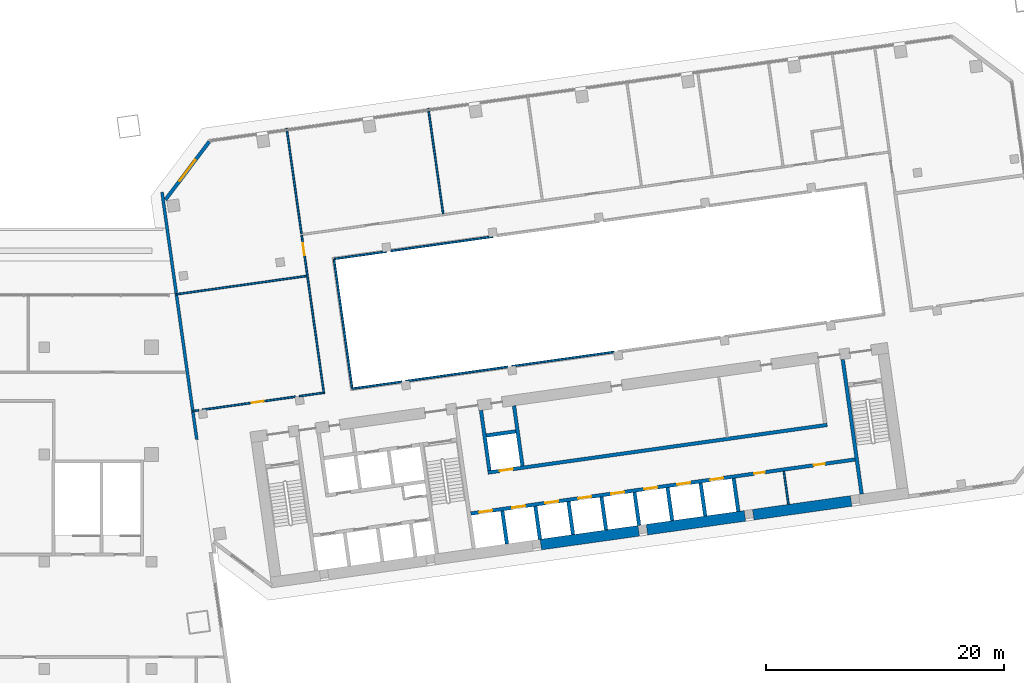
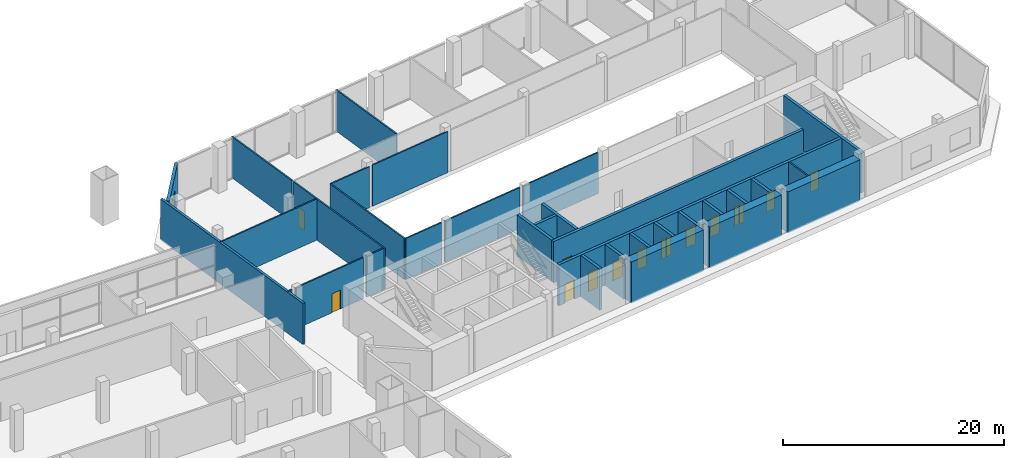
# One storey, part 16 of 21: 33 walls, 13 doors, 1 window, 14 openings.
"""IFC4 building model written with IfcOpenShell, lengths in metres."""

import ifcopenshell
import ifcopenshell.guid

model = None  # the IFC model being written
_history = None  # IfcOwnerHistory: only IFC2X3 demands one
_inside = {}  # id of a spatial element -> (the spatial element, [elements in it])
_under = {}  # id of a project, library or spatial element -> (it, [spatial elements below it])
_declared = {}  # id of a project -> (the project, [libraries it declares])
_typed = {}  # id of a type object -> (the type object, [elements of that type])
_made_of = {}  # id of a material, layer set ... -> (it, [elements and type objects made of it])


def new_model(schema):
    """Start an empty IFC model of exactly this schema.

    Asked for "IFC4X3", IfcOpenShell would pick the latest addendum, in which some entities
    have other attributes; the version numbers below select the first issue.
    IFC2X3 requires an IfcOwnerHistory on every rooted entity: one is made here for all.
    """
    global model, _history
    if schema == "IFC4X3":
        model = ifcopenshell.file(schema_version=(4, 3, 0, 0))
    else:
        model = ifcopenshell.file(schema=schema)
    _inside.clear()
    _under.clear()
    _declared.clear()
    _typed.clear()
    _made_of.clear()
    _history = None
    if model.schema == "IFC2X3":
        org = make("IfcOrganization", Name="unknown")
        user = make(
            "IfcPersonAndOrganization",
            ThePerson=make("IfcPerson", FamilyName="unknown"),
            TheOrganization=org,
        )
        app = make(
            "IfcApplication",
            ApplicationDeveloper=org,
            Version="unknown",
            ApplicationFullName="unknown",
            ApplicationIdentifier="unknown",
        )
        _history = make(
            "IfcOwnerHistory",
            OwningUser=user,
            OwningApplication=app,
            ChangeAction="ADDED",
            CreationDate=0,
        )
    return model


def make(cls, **values):
    """One entity of the class cls with the attributes given. An attribute that is None is left unset."""
    return model.create_entity(
        cls, **{name: value for name, value in values.items() if value is not None}
    )


def rooted(cls, **values):
    """An entity with a GlobalId (a new one), such as an element, a storey or a relation."""
    return make(cls, GlobalId=ifcopenshell.guid.new(), OwnerHistory=_history, **values)


def si_unit(unit_type, name, prefix=None):
    """IfcSIUnit, for example si_unit("LENGTHUNIT", "METRE", prefix="MILLI")."""
    return make("IfcSIUnit", UnitType=unit_type, Prefix=prefix, Name=name)


def assignment(units):
    """IfcUnitAssignment: the units of a project."""
    return None if units is None else make("IfcUnitAssignment", Units=units)


def point(xyz):
    """IfcCartesianPoint."""
    return None if xyz is None else make("IfcCartesianPoint", Coordinates=xyz)


def direction(xyz):
    """IfcDirection."""
    return None if xyz is None else make("IfcDirection", DirectionRatios=xyz)


def frame(location, z_axis=None, x_axis=None):
    """IfcAxis2Placement3D, a coordinate frame: its origin and axes. An axis left out is left unset."""
    return make(
        "IfcAxis2Placement3D",
        Location=point(location),
        Axis=direction(z_axis),
        RefDirection=direction(x_axis),
    )


def frame_2d(location, x_axis=None):
    """IfcAxis2Placement2D, a coordinate frame in the plane: its origin and x axis."""
    return make(
        "IfcAxis2Placement2D", Location=point(location), RefDirection=direction(x_axis)
    )


def origin():
    """The frame at (0, 0, 0) with its axes left unset."""
    return frame((0.0, 0.0, 0.0))


def place(relative_to, where):
    """IfcLocalPlacement: puts the frame where relative to a parent placement (None: the world)."""
    return make(
        "IfcLocalPlacement", PlacementRelTo=relative_to, RelativePlacement=where
    )


def context(
    kind, dimensions, precision=None, world=None, true_north=None, identifier=None
):
    """IfcGeometricRepresentationContext, for example the 3D "Model" context."""
    return make(
        "IfcGeometricRepresentationContext",
        ContextIdentifier=identifier,
        ContextType=kind,
        CoordinateSpaceDimension=dimensions,
        Precision=precision,
        WorldCoordinateSystem=world,
        TrueNorth=true_north,
    )


def subcontext(parent, identifier, kind, view, scale=None):
    """IfcGeometricRepresentationSubContext, for example "Body" below "Model"."""
    return make(
        "IfcGeometricRepresentationSubContext",
        ContextIdentifier=identifier,
        ContextType=kind,
        ParentContext=parent,
        TargetScale=scale,
        TargetView=view,
    )


def project(units=None, contexts=None):
    """IfcProject with its units and contexts."""
    return rooted(
        "IfcProject",
        Name="project",
        RepresentationContexts=contexts,
        UnitsInContext=assignment(units),
    )


def spatial(cls, under=None, at=None, **own):
    """A site, building, storey or space (cls), placed at a placement, below another one or the project."""
    s = rooted(cls, ObjectPlacement=at, **own)
    if under is not None:
        _under.setdefault(under.id(), (under, []))[1].append(s)
    return s


def profile(cls, at=None, kind="AREA", **sizes):
    """A parametric profile (cls). Its sizes go by their IFC names, for example OverallWidth=200.0."""
    return make(cls, ProfileType=kind, Position=at, **sizes)


def rectangle(**sizes):
    """IfcRectangleProfileDef."""
    return profile("IfcRectangleProfileDef", **sizes)


def extrude(swept, where, along, depth):
    """IfcExtrudedAreaSolid: the profile swept, set in the frame where, extruded along a direction by depth."""
    return make(
        "IfcExtrudedAreaSolid",
        SweptArea=swept,
        Position=where,
        ExtrudedDirection=direction(along),
        Depth=depth,
    )


def shape(context_of_items, identifier, shape_type, items):
    """IfcShapeRepresentation: the items that make up one representation, for example the "Body"."""
    return make(
        "IfcShapeRepresentation",
        ContextOfItems=context_of_items,
        RepresentationIdentifier=identifier,
        RepresentationType=shape_type,
        Items=items,
    )


def material(Name=None, Category=None):
    """IfcMaterial."""
    return make("IfcMaterial", Name=Name, Category=Category)


def layer(
    of_material, thickness, ventilated=None, Name=None, Category=None, Priority=None
):
    """IfcMaterialLayer: one layer of a wall or slab, of a material (None: an air gap)."""
    return make(
        "IfcMaterialLayer",
        Material=of_material,
        LayerThickness=thickness,
        IsVentilated=ventilated,
        Name=Name,
        Category=Category,
        Priority=Priority,
    )


def layer_set(layers, Name=None):
    """IfcMaterialLayerSet."""
    return make("IfcMaterialLayerSet", MaterialLayers=layers, LayerSetName=Name)


def made_of(thing, what):
    """Note that an element or type object is made of a material, layer set ...; save() writes the relation."""
    if what is not None:
        _made_of.setdefault(what.id(), (what, []))[1].append(thing)
    return thing


def type_object(cls, material=None, **own):
    """A type object (cls), such as IfcWallType, which elements share."""
    return made_of(rooted(cls, **own), material)


def element(
    cls,
    number,
    at=None,
    inside=None,
    cuts=None,
    type_object=None,
    material=None,
    context=None,
    identifier="Body",
    shape_type=None,
    held_by="IfcProductDefinitionShape",
    body=None,
    shapes=None,
    **own,
):
    """One element of the class cls, such as IfcWall. Its Tag is "e" and its number.

    at: its placement. inside: the storey or other place that contains it. cuts: it is an
    opening in that element (IfcRelVoidsElement). A single representation is given by context,
    identifier, shape_type and body (its items); several are given by shapes. held_by: the class
    of the entity that holds the representations. save() writes the other relations.
    """
    e = rooted(cls, Tag="e%d" % number, ObjectPlacement=at, **own)
    if body is not None:
        shapes = [shape(context, identifier, shape_type, body)]
    if shapes is not None:
        e.Representation = make(held_by, Representations=shapes)
    if inside is not None:
        _inside.setdefault(inside.id(), (inside, []))[1].append(e)
    if cuts is not None:
        rooted(
            "IfcRelVoidsElement", RelatingBuildingElement=cuts, RelatedOpeningElement=e
        )
    if type_object is not None:
        _typed.setdefault(type_object.id(), (type_object, []))[1].append(e)
    return made_of(e, material)


def fill(opening, filler):
    """IfcRelFillsElement: the door or window that sits in an opening."""
    return rooted(
        "IfcRelFillsElement",
        RelatingOpeningElement=opening,
        RelatedBuildingElement=filler,
    )


def aggregate(whole, parts):
    """IfcRelAggregates: a whole, such as a stair, and the parts it consists of."""
    return rooted("IfcRelAggregates", RelatingObject=whole, RelatedObjects=parts)


def save(model, path):
    """Write the relations noted so far, then the file.

    IfcRelAggregates (storeys below a building ...), IfcRelContainedInSpatialStructure (elements
    in a storey), IfcRelDefinesByType, IfcRelAssociatesMaterial and IfcRelDeclares: one each for
    every whole, place, type object, material and project.
    """
    for whole, parts in _under.values():
        aggregate(whole, parts)
    for where, things in _inside.values():
        rooted(
            "IfcRelContainedInSpatialStructure",
            RelatedElements=things,
            RelatingStructure=where,
        )
    for kind, things in _typed.values():
        rooted("IfcRelDefinesByType", RelatedObjects=things, RelatingType=kind)
    for what, things in _made_of.values():
        rooted("IfcRelAssociatesMaterial", RelatedObjects=things, RelatingMaterial=what)
    for by, libraries in _declared.values():
        rooted("IfcRelDeclares", RelatingContext=by, RelatedDefinitions=libraries)
    model.write(path)


model = new_model("IFC4")

# Units and contexts
model_context = context("Model", 3, precision=1e-05, world=origin(), true_north=direction((0.0, 1.0)))
body_context = subcontext(model_context, "Body", "Model", "MODEL_VIEW")
ifc_project = project(units=[si_unit("LENGTHUNIT", "METRE"), si_unit("AREAUNIT", "SQUARE_METRE"), si_unit("VOLUMEUNIT", "CUBIC_METRE"), si_unit("PLANEANGLEUNIT", "RADIAN"), si_unit("MASSUNIT", "GRAM", prefix="KILO")], contexts=[model_context])

# Site, building, storey
site_placement = place(None, origin())
site = spatial("IfcSite", under=ifc_project, at=site_placement, CompositionType="ELEMENT")
building_placement = place(site_placement, origin())
building = spatial("IfcBuilding", under=site, at=building_placement, Name="Mirante Cascada Hotel Towers", CompositionType="ELEMENT")
storey_placement = place(building_placement, frame((0.0, 0.0, 34.5)))
storey = spatial("IfcBuildingStorey", under=building, at=storey_placement, Name="L05", CompositionType="ELEMENT", Elevation=34.5)

# Wall
ifc_material_1 = material(Name="Masonry block", Category="masonry")
ifc_layer_1 = layer(ifc_material_1, 0.15)
ifc_layer_set_1 = layer_set([ifc_layer_1], Name="Core room partition 150 block EI 30")
wall_type_1 = type_object("IfcWallType", Name="Core room partition 150 block EI 30", PredefinedType="PARTITIONING", material=ifc_layer_set_1)
wall_1_placement = place(storey_placement, frame((80.448, -13.1879, 0.0), z_axis=(0.0, 0.0, 1.0), x_axis=(-0.139176, 0.9902677, 0.0)))
element("IfcWall", 1, at=wall_1_placement, inside=storey, type_object=wall_type_1, Name="Core wall partition T2 L05 4", PredefinedType="PARTITIONING", context=body_context, shape_type="SweptSolid", body=[
    extrude(rectangle(XDim=2.8001, YDim=0.15, at=frame_2d((1.4, 0.0))), origin(), (0.0, 0.0, 1.0), 4.55),
])

# Wall, opening, door
ifc_material_2 = material(Name="Masonry block", Category="masonry")
ifc_layer_2 = layer(ifc_material_2, 0.15)
ifc_layer_set_2 = layer_set([ifc_layer_2], Name="Corridor wall 150 block")
wall_type_2 = type_object("IfcWallType", Name="Corridor wall 150 block", PredefinedType="PARTITIONING", material=ifc_layer_set_2)
wall_2_placement = place(storey_placement, frame((39.6107, 9.3732, 0.0), z_axis=(0.0, 0.0, 1.0), x_axis=(0.1391716, -0.9902683, 0.0)))
wall_2 = element("IfcWall", 2, at=wall_2_placement, inside=storey, type_object=wall_type_2, Name="Corridor wall T2 L05", PredefinedType="PARTITIONING", context=body_context, shape_type="SweptSolid", body=[
    extrude(rectangle(XDim=13.4, YDim=0.15, at=frame_2d((6.7, 0.0))), origin(), (0.0, 0.0, 1.0), 4.55),
])
opening_1_placement = place(wall_2_placement, frame((0.6675, 0.0, 0.0)))
opening_1 = element("IfcOpeningElement", 3, at=opening_1_placement, cuts=wall_2, Name="Opening DP2-L05-02", PredefinedType="OPENING", context=body_context, shape_type="SweptSolid", body=[
    extrude(rectangle(XDim=1.0, YDim=2.1, at=frame_2d((0.5, 1.05))), frame((0.0, 0.075, 0.0), z_axis=(0.0, -1.0, 0.0), x_axis=(1.0, 0.0, 0.0)), (0.0, 0.0, 1.0), 0.15),
])
ifc_material_3 = material(Name="Timber door leaf", Category="wood")
door_type_1 = type_object("IfcDoorType", Name="Single door 1000x2100", OperationType="NOTDEFINED", PredefinedType="DOOR", material=ifc_material_3)
door_1_placement = place(opening_1_placement, frame((1.0, 0.0, 0.0), z_axis=(0.0, 0.0, 1.0), x_axis=(-1.0, 0.0, 0.0)))
door_1 = element("IfcDoor", 4, at=door_1_placement, inside=storey, type_object=door_type_1, Name="Door DP2-L05-02", OperationType="SINGLE_SWING_RIGHT", OverallHeight=2.1, OverallWidth=1.0, PredefinedType="DOOR", context=body_context, shape_type="SweptSolid", body=[
    extrude(rectangle(XDim=1.0, YDim=2.1, at=frame_2d((0.5, 1.05))), frame((0.0, 0.025, 0.0), z_axis=(0.0, -1.0, 0.0), x_axis=(1.0, 0.0, 0.0)), (0.0, 0.0, 1.0), 0.05),
])
fill(opening_1, door_1)

# Walls
wall_3_placement = place(storey_placement, frame((42.3151, 7.3752, 0.0), z_axis=(0.0, 0.0, 1.0), x_axis=(0.1391674, -0.9902689, 0.0)))
element("IfcWall", 5, at=wall_3_placement, inside=storey, type_object=wall_type_2, Name="Corridor wall T2 L05", PredefinedType="PARTITIONING", context=body_context, shape_type="SweptSolid", body=[
    extrude(rectangle(XDim=10.9401, YDim=0.15, at=frame_2d((5.47, 0.0))), origin(), (0.0, 0.0, 1.0), 4.55),
])
wall_4_placement = place(storey_placement, frame((30.4732, -5.3669, 0.0), z_axis=(0.0, 0.0, 1.0), x_axis=(0.9902657, 0.1391899, 0.0)))
element("IfcWall", 6, at=wall_4_placement, inside=storey, type_object=wall_type_2, Name="Corridor wall T2 L05", PredefinedType="PARTITIONING", context=body_context, shape_type="SweptSolid", body=[
    extrude(rectangle(XDim=0.4957, YDim=0.15, at=frame_2d((0.2478, 0.0))), origin(), (0.0, 0.0, 1.0), 4.55),
])
wall_5_placement = place(storey_placement, frame((43.8715, -3.4839, 0.0), z_axis=(0.0, 0.0, 1.0), x_axis=(0.9902667, 0.1391827, 0.0)))
element("IfcWall", 7, at=wall_5_placement, inside=storey, type_object=wall_type_2, Name="Corridor wall T2 L05", PredefinedType="PARTITIONING", context=body_context, shape_type="SweptSolid", body=[
    extrude(rectangle(XDim=4.1657, YDim=0.15, at=frame_2d((2.0828, 0.0))), origin(), (0.0, 0.0, 1.0), 4.55),
])
wall_6_placement = place(storey_placement, frame((42.3406, 7.409, 0.0), z_axis=(0.0, 0.0, 1.0), x_axis=(0.9902682, 0.1391725, 0.0)))
element("IfcWall", 8, at=wall_6_placement, inside=storey, type_object=wall_type_2, Name="Corridor wall T2 L05", PredefinedType="PARTITIONING", context=body_context, shape_type="SweptSolid", body=[
    extrude(rectangle(XDim=4.4456, YDim=0.15, at=frame_2d((2.2228, 0.0))), origin(), (0.0, 0.0, 1.0), 4.55),
])

# Wall, opening, door
wall_7_placement = place(storey_placement, frame((31.2896, -5.2522, 0.0), z_axis=(0.0, 0.0, 1.0), x_axis=(0.9902676, 0.1391764, 0.0)))
wall_7 = element("IfcWall", 9, at=wall_7_placement, inside=storey, type_object=wall_type_2, Name="Corridor wall T2 L05", PredefinedType="PARTITIONING", context=body_context, shape_type="SweptSolid", body=[
    extrude(rectangle(XDim=7.8713, YDim=0.15, at=frame_2d((3.9356, 0.0))), origin(), (0.0, 0.0, 1.0), 4.55),
])
opening_2_placement = place(wall_7_placement, frame((4.193, 0.0, 0.0)))
opening_2 = element("IfcOpeningElement", 10, at=opening_2_placement, cuts=wall_7, Name="Opening DP2-L05-01", PredefinedType="OPENING", context=body_context, shape_type="SweptSolid", body=[
    extrude(rectangle(XDim=1.0, YDim=2.1, at=frame_2d((0.5, 1.05))), frame((0.0, 0.075, 0.0), z_axis=(0.0, -1.0, 0.0), x_axis=(1.0, 0.0, 0.0)), (0.0, 0.0, 1.0), 0.15),
])
door_2_placement = place(opening_2_placement, frame((1.0, 0.0, 0.0), z_axis=(0.0, 0.0, 1.0), x_axis=(-1.0, 0.0, 0.0)))
door_2 = element("IfcDoor", 11, at=door_2_placement, inside=storey, type_object=door_type_1, Name="Door DP2-L05-01", OperationType="SINGLE_SWING_LEFT", OverallHeight=2.1, OverallWidth=1.0, PredefinedType="DOOR", context=body_context, shape_type="SweptSolid", body=[
    extrude(rectangle(XDim=1.0, YDim=2.1, at=frame_2d((0.5, 1.05))), frame((0.0, 0.025, 0.0), z_axis=(0.0, -1.0, 0.0), x_axis=(1.0, 0.0, 0.0)), (0.0, 0.0, 1.0), 0.05),
])
fill(opening_2, door_2)

# Walls
wall_8_placement = place(storey_placement, frame((39.4096, -4.1109, 0.0), z_axis=(0.0, 0.0, 1.0), x_axis=(0.9902711, 0.1391512, 0.0)))
element("IfcWall", 12, at=wall_8_placement, inside=storey, type_object=wall_type_2, Name="Corridor wall T2 L05", PredefinedType="PARTITIONING", context=body_context, shape_type="SweptSolid", body=[
    extrude(rectangle(XDim=2.0108, YDim=0.15, at=frame_2d((1.0054, 0.0))), origin(), (0.0, 0.0, 1.0), 4.55),
])
wall_9_placement = place(storey_placement, frame((48.3223, -2.8584, 0.0), z_axis=(0.0, 0.0, 1.0), x_axis=(0.990268, 0.1391735, 0.0)))
element("IfcWall", 13, at=wall_9_placement, inside=storey, type_object=wall_type_2, Name="Corridor wall T2 L05", PredefinedType="PARTITIONING", context=body_context, shape_type="SweptSolid", body=[
    extrude(rectangle(XDim=8.6712, YDim=0.15, at=frame_2d((4.3356, 0.0))), origin(), (0.0, 0.0, 1.0), 4.55),
])
for number, where, z_axis, x_axis, name in (
    (14, (57.2347, -1.6058, 0.0), (0.0, 0.0, 1.0), (0.9902682, 0.139172, 0.0), "Corridor wall T2 L05"),
    (15, (47.0684, 8.0735, 0.0), (0.0, 0.0, 1.0), (0.9902682, 0.139172, 0.0), "Corridor wall T2 L05"),
):
    element("IfcWall", number, at=place(storey_placement, frame(where, z_axis=z_axis, x_axis=x_axis)), inside=storey, type_object=wall_type_2, Name=name, PredefinedType="PARTITIONING", context=body_context, shape_type="SweptSolid", body=[
        extrude(rectangle(XDim=8.6713, YDim=0.15, at=frame_2d((4.3356, 0.0))), origin(), (0.0, 0.0, 1.0), 4.55),
    ])
ifc_material_4 = material(Name="Masonry block", Category="masonry")
ifc_layer_3 = layer(ifc_material_4, 0.15)
ifc_layer_set_3 = layer_set([ifc_layer_3], Name="Partition 150 block")
wall_type_3 = type_object("IfcWallType", Name="Partition 150 block", PredefinedType="PARTITIONING", material=ifc_layer_set_3)
wall_10_placement = place(storey_placement, frame((38.3477, 18.3599, 0.0), z_axis=(0.0, 0.0, 1.0), x_axis=(0.1391725, -0.9902682, 0.0)))
element("IfcWall", 16, at=wall_10_placement, inside=storey, type_object=wall_type_3, Name="Partition T2 L05", PredefinedType="PARTITIONING", context=body_context, shape_type="SweptSolid", body=[
    extrude(rectangle(XDim=8.935, YDim=0.15, at=frame_2d((4.4675, 0.0))), origin(), (0.0, 0.0, 1.0), 4.55),
])
wall_11_placement = place(storey_placement, frame((50.2309, 20.03, 0.0), z_axis=(0.0, 0.0, 1.0), x_axis=(0.13917, -0.9902685, 0.0)))
element("IfcWall", 17, at=wall_11_placement, inside=storey, type_object=wall_type_3, Name="Partition T2 L05", PredefinedType="PARTITIONING", context=body_context, shape_type="SweptSolid", body=[
    extrude(rectangle(XDim=8.9251, YDim=0.15, at=frame_2d((4.4626, 0.0))), origin(), (0.0, 0.0, 1.0), 4.55),
])
wall_12_placement = place(storey_placement, frame((29.0954, 4.4367, 0.0), z_axis=(0.0, 0.0, 1.0), x_axis=(0.9902679, 0.1391746, 0.0)))
element("IfcWall", 18, at=wall_12_placement, inside=storey, type_object=wall_type_3, Name="Partition T2 L05", PredefinedType="PARTITIONING", context=body_context, shape_type="SweptSolid", body=[
    extrude(rectangle(XDim=11.025, YDim=0.15, at=frame_2d((5.5125, 0.0))), origin(), (0.0, 0.0, 1.0), 4.55),
])
ifc_material_5 = material(Name="Masonry block", Category="masonry")
ifc_layer_4 = layer(ifc_material_5, 0.25)
ifc_layer_set_4 = layer_set([ifc_layer_4], Name="Plant room wall 250 block EI 120")
wall_type_4 = type_object("IfcWallType", Name="Plant room wall 250 block EI 120", PredefinedType="PARTITIONING", material=ifc_layer_set_4)
wall_13_placement = place(storey_placement, frame((30.8072, -7.7436, 0.0), z_axis=(0.0, 0.0, 1.0), x_axis=(-0.1391737, 0.990268, 0.0)))
element("IfcWall", 19, at=wall_13_placement, inside=storey, type_object=wall_type_4, Name="Compartment wall T2 L05", PredefinedType="PARTITIONING", context=body_context, shape_type="SweptSolid", body=[
    extrude(rectangle(XDim=20.9501, YDim=0.25, at=frame_2d((10.475, 0.0))), origin(), (0.0, 0.0, 1.0), 4.55),
])

# Wall, opening, window
ifc_material_6 = material(Name="Precast concrete C40/50", Category="concrete")
ifc_layer_5 = layer(ifc_material_6, 0.3)
ifc_layer_set_5 = layer_set([ifc_layer_5], Name="Precast concrete C40/50 cladding wall 300")
wall_type_5 = type_object("IfcWallType", Name="Precast concrete C40/50 cladding wall 300", PredefinedType="STANDARD", material=ifc_layer_set_5)
wall_14_placement = place(storey_placement, frame((31.857, 17.252, 0.0), z_axis=(0.0, 0.0, 1.0), x_axis=(-0.6018141, -0.7986362, 0.0)))
wall_14 = element("IfcWall", 20, at=wall_14_placement, inside=storey, type_object=wall_type_5, Name="Corner cladding wall T2 L05 front inner", PredefinedType="STANDARD", context=body_context, shape_type="SweptSolid", body=[
    extrude(rectangle(XDim=6.1157, YDim=0.3, at=frame_2d((3.0578, 0.0))), origin(), (0.0, 0.0, 1.0), 4.55),
])
opening_3_placement = place(wall_14_placement, frame((1.9578, 0.0, 0.6)))
opening_3 = element("IfcOpeningElement", 21, at=opening_3_placement, cuts=wall_14, Name="Opening W2-05-04", PredefinedType="OPENING", context=body_context, shape_type="SweptSolid", body=[
    extrude(rectangle(XDim=2.2, YDim=2.4, at=frame_2d((1.1, 1.2))), frame((0.0, 0.15, 0.0), z_axis=(0.0, -1.0, 0.0), x_axis=(1.0, 0.0, 0.0)), (0.0, 0.0, 1.0), 0.3),
])
ifc_material_7 = material(Name="Aluminium frame with clear double glazing", Category="aluminium")
window_type = type_object("IfcWindowType", Name="Corner suite window 2200x2400", PartitioningType="DOUBLE_PANEL_VERTICAL", PredefinedType="WINDOW", material=ifc_material_7)
window_placement = place(opening_3_placement, origin())
window = element("IfcWindow", 22, at=window_placement, inside=storey, type_object=window_type, Name="Window W2-05-04", OverallHeight=2.4, OverallWidth=2.2, PartitioningType="SINGLE_PANEL", PredefinedType="WINDOW", context=body_context, shape_type="SweptSolid", body=[
    extrude(rectangle(XDim=2.2, YDim=2.4, at=frame_2d((1.1, 1.2))), frame((0.0, 0.03, 0.0), z_axis=(0.0, -1.0, 0.0), x_axis=(1.0, 0.0, 0.0)), (0.0, 0.0, 1.0), 0.06),
])
fill(opening_3, window)

# Wall
ifc_material_8 = material(Name="Concrete C50/60", Category="concrete")
ifc_layer_6 = layer(ifc_material_8, 0.3)
ifc_layer_set_6 = layer_set([ifc_layer_6], Name="RC core wall 300 C50/60")
wall_type_6 = type_object("IfcWallType", Name="RC core wall 300 C50/60", PredefinedType="SHEAR", material=ifc_layer_set_6)
wall_15_placement = place(storey_placement, frame((86.5877, -12.325, 0.0), z_axis=(0.0, 0.0, 1.0), x_axis=(-0.1391749, 0.9902678, 0.0)))
element("IfcWall", 23, at=wall_15_placement, inside=storey, type_object=wall_type_6, Name="Core wall T2:L05:8", PredefinedType="SHEAR", context=body_context, shape_type="SweptSolid", body=[
    extrude(rectangle(XDim=11.4, YDim=0.3, at=frame_2d((5.7, 0.0))), origin(), (0.0, 0.0, 1.0), 4.55),
])

# Wall, openings, doors
wall_16_placement = place(storey_placement, frame((53.7953, -13.9547, 0.0), z_axis=(0.0, 0.0, 1.0), x_axis=(0.990268, 0.1391733, 0.0)))
wall_16 = element("IfcWall", 24, at=wall_16_placement, inside=storey, type_object=wall_type_6, Name="Core wall T2:L05:24", PredefinedType="SHEAR", context=body_context, shape_type="SweptSolid", body=[
    extrude(rectangle(XDim=32.5501, YDim=0.3, at=frame_2d((16.275, 0.0))), origin(), (0.0, 0.0, 1.0), 4.55),
])
opening_4_placement = place(wall_16_placement, frame((0.7, 0.0, 0.0)))
opening_4 = element("IfcOpeningElement", 25, at=opening_4_placement, cuts=wall_16, Name="Opening LD", PredefinedType="OPENING", context=body_context, shape_type="SweptSolid", body=[
    extrude(rectangle(XDim=1.1, YDim=2.1, at=frame_2d((0.55, 1.05))), frame((0.0, 0.15, 0.0), z_axis=(0.0, -1.0, 0.0), x_axis=(1.0, 0.0, 0.0)), (0.0, 0.0, 1.0), 0.3),
])
opening_5_placement = place(wall_16_placement, frame((3.5, 0.0, 0.0)))
opening_5 = element("IfcOpeningElement", 26, at=opening_5_placement, cuts=wall_16, Name="Opening LD", PredefinedType="OPENING", context=body_context, shape_type="SweptSolid", body=[
    extrude(rectangle(XDim=1.1, YDim=2.1, at=frame_2d((0.55, 1.05))), frame((0.0, 0.15, 0.0), z_axis=(0.0, -1.0, 0.0), x_axis=(1.0, 0.0, 0.0)), (0.0, 0.0, 1.0), 0.3),
])
opening_6_placement = place(wall_16_placement, frame((6.3, 0.0, 0.0)))
opening_6 = element("IfcOpeningElement", 27, at=opening_6_placement, cuts=wall_16, Name="Opening LD", PredefinedType="OPENING", context=body_context, shape_type="SweptSolid", body=[
    extrude(rectangle(XDim=1.1, YDim=2.1, at=frame_2d((0.55, 1.05))), frame((0.0, 0.15, 0.0), z_axis=(0.0, -1.0, 0.0), x_axis=(1.0, 0.0, 0.0)), (0.0, 0.0, 1.0), 0.3),
])
opening_7_placement = place(wall_16_placement, frame((9.1, 0.0, 0.0)))
opening_7 = element("IfcOpeningElement", 28, at=opening_7_placement, cuts=wall_16, Name="Opening LD", PredefinedType="OPENING", context=body_context, shape_type="SweptSolid", body=[
    extrude(rectangle(XDim=1.1, YDim=2.1, at=frame_2d((0.55, 1.05))), frame((0.0, 0.15, 0.0), z_axis=(0.0, -1.0, 0.0), x_axis=(1.0, 0.0, 0.0)), (0.0, 0.0, 1.0), 0.3),
])
opening_8_placement = place(wall_16_placement, frame((11.9, 0.0, 0.0)))
opening_8 = element("IfcOpeningElement", 29, at=opening_8_placement, cuts=wall_16, Name="Opening LD", PredefinedType="OPENING", context=body_context, shape_type="SweptSolid", body=[
    extrude(rectangle(XDim=1.1, YDim=2.1, at=frame_2d((0.55, 1.05))), frame((0.0, 0.15, 0.0), z_axis=(0.0, -1.0, 0.0), x_axis=(1.0, 0.0, 0.0)), (0.0, 0.0, 1.0), 0.3),
])
opening_9_placement = place(wall_16_placement, frame((14.7, 0.0, 0.0)))
opening_9 = element("IfcOpeningElement", 30, at=opening_9_placement, cuts=wall_16, Name="Opening LD", PredefinedType="OPENING", context=body_context, shape_type="SweptSolid", body=[
    extrude(rectangle(XDim=1.1, YDim=2.1, at=frame_2d((0.55, 1.05))), frame((0.0, 0.15, 0.0), z_axis=(0.0, -1.0, 0.0), x_axis=(1.0, 0.0, 0.0)), (0.0, 0.0, 1.0), 0.3),
])
opening_10_placement = place(wall_16_placement, frame((17.5, 0.0, 0.0)))
opening_10 = element("IfcOpeningElement", 31, at=opening_10_placement, cuts=wall_16, Name="Opening LD", PredefinedType="OPENING", context=body_context, shape_type="SweptSolid", body=[
    extrude(rectangle(XDim=1.1, YDim=2.1, at=frame_2d((0.55, 1.05))), frame((0.0, 0.15, 0.0), z_axis=(0.0, -1.0, 0.0), x_axis=(1.0, 0.0, 0.0)), (0.0, 0.0, 1.0), 0.3),
])
opening_11_placement = place(wall_16_placement, frame((20.3, 0.0, 0.0)))
opening_11 = element("IfcOpeningElement", 32, at=opening_11_placement, cuts=wall_16, Name="Opening LD", PredefinedType="OPENING", context=body_context, shape_type="SweptSolid", body=[
    extrude(rectangle(XDim=1.1, YDim=2.1, at=frame_2d((0.55, 1.05))), frame((0.0, 0.15, 0.0), z_axis=(0.0, -1.0, 0.0), x_axis=(1.0, 0.0, 0.0)), (0.0, 0.0, 1.0), 0.3),
])
opening_12_placement = place(wall_16_placement, frame((24.0, 0.0, 0.0)))
opening_12 = element("IfcOpeningElement", 33, at=opening_12_placement, cuts=wall_16, Name="Opening D2-05-C28", PredefinedType="OPENING", context=body_context, shape_type="SweptSolid", body=[
    extrude(rectangle(XDim=0.9, YDim=2.1, at=frame_2d((0.45, 1.05))), frame((0.0, 0.15, 0.0), z_axis=(0.0, -1.0, 0.0), x_axis=(1.0, 0.0, 0.0)), (0.0, 0.0, 1.0), 0.3),
])
opening_13_placement = place(wall_16_placement, frame((29.075, 0.0, 0.0)))
opening_13 = element("IfcOpeningElement", 34, at=opening_13_placement, cuts=wall_16, Name="Opening D2-05-C29", PredefinedType="OPENING", context=body_context, shape_type="SweptSolid", body=[
    extrude(rectangle(XDim=0.9, YDim=2.1, at=frame_2d((0.45, 1.05))), frame((0.0, 0.15, 0.0), z_axis=(0.0, -1.0, 0.0), x_axis=(1.0, 0.0, 0.0)), (0.0, 0.0, 1.0), 0.3),
])
ifc_material_9 = material(Name="Hollow metal fire door leaf")
door_type_2 = type_object("IfcDoorType", Name="Fire door 900x2100 FD60", OperationType="NOTDEFINED", PredefinedType="DOOR", material=ifc_material_9)
door_3_placement = place(opening_12_placement, frame((0.9, 0.0, 0.0), z_axis=(0.0, 0.0, 1.0), x_axis=(-1.0, 0.0, 0.0)))
door_3 = element("IfcDoor", 35, at=door_3_placement, inside=storey, type_object=door_type_2, Name="Room door T2 L05 28", OperationType="SINGLE_SWING_RIGHT", OverallHeight=2.1, OverallWidth=0.9, PredefinedType="DOOR", context=body_context, shape_type="SweptSolid", body=[
    extrude(rectangle(XDim=0.9, YDim=2.1, at=frame_2d((0.45, 1.05))), frame((0.0, 0.025, 0.0), z_axis=(0.0, -1.0, 0.0), x_axis=(1.0, 0.0, 0.0)), (0.0, 0.0, 1.0), 0.05),
])
fill(opening_12, door_3)
door_4_placement = place(opening_13_placement, frame((0.9, 0.0, 0.0), z_axis=(0.0, 0.0, 1.0), x_axis=(-1.0, 0.0, 0.0)))
door_4 = element("IfcDoor", 36, at=door_4_placement, inside=storey, type_object=door_type_2, Name="Room door T2 L05 29", OperationType="SINGLE_SWING_RIGHT", OverallHeight=2.1, OverallWidth=0.9, PredefinedType="DOOR", context=body_context, shape_type="SweptSolid", body=[
    extrude(rectangle(XDim=0.9, YDim=2.1, at=frame_2d((0.45, 1.05))), frame((0.0, 0.025, 0.0), z_axis=(0.0, -1.0, 0.0), x_axis=(1.0, 0.0, 0.0)), (0.0, 0.0, 1.0), 0.05),
])
fill(opening_13, door_4)
ifc_material_10 = material(Name="Stainless steel", Category="steel")
door_type_3 = type_object("IfcDoorType", Name="Lift landing door 1100x2100 EI 120", OperationType="DOUBLE_DOOR_SLIDING", PredefinedType="DOOR", material=ifc_material_10)
door_5_placement = place(opening_4_placement, origin())
door_5 = element("IfcDoor", 37, at=door_5_placement, inside=storey, type_object=door_type_3, Name="Lift landing door LR2-1 L05", OperationType="DOUBLE_DOOR_SLIDING", OverallHeight=2.1, OverallWidth=1.1, PredefinedType="DOOR", context=body_context, shape_type="SweptSolid", body=[
    extrude(rectangle(XDim=0.545, YDim=2.1, at=frame_2d((0.2725, 1.05))), frame((0.0, 0.025, 0.0), z_axis=(0.0, -1.0, 0.0), x_axis=(1.0, 0.0, 0.0)), (0.0, 0.0, 1.0), 0.05),
    extrude(rectangle(XDim=0.545, YDim=2.1, at=frame_2d((0.8275, 1.05))), frame((0.0, 0.025, 0.0), z_axis=(0.0, -1.0, 0.0), x_axis=(1.0, 0.0, 0.0)), (0.0, 0.0, 1.0), 0.05),
])
fill(opening_4, door_5)
door_6_placement = place(opening_5_placement, origin())
door_6 = element("IfcDoor", 38, at=door_6_placement, inside=storey, type_object=door_type_3, Name="Lift landing door LR2-2 L05", OperationType="DOUBLE_DOOR_SLIDING", OverallHeight=2.1, OverallWidth=1.1, PredefinedType="DOOR", context=body_context, shape_type="SweptSolid", body=[
    extrude(rectangle(XDim=0.545, YDim=2.1, at=frame_2d((0.2725, 1.05))), frame((0.0, 0.025, 0.0), z_axis=(0.0, -1.0, 0.0), x_axis=(1.0, 0.0, 0.0)), (0.0, 0.0, 1.0), 0.05),
    extrude(rectangle(XDim=0.545, YDim=2.1, at=frame_2d((0.8275, 1.05))), frame((0.0, 0.025, 0.0), z_axis=(0.0, -1.0, 0.0), x_axis=(1.0, 0.0, 0.0)), (0.0, 0.0, 1.0), 0.05),
])
fill(opening_5, door_6)
door_7_placement = place(opening_6_placement, origin())
door_7 = element("IfcDoor", 39, at=door_7_placement, inside=storey, type_object=door_type_3, Name="Lift landing door SV2-1 L05", OperationType="DOUBLE_DOOR_SLIDING", OverallHeight=2.1, OverallWidth=1.1, PredefinedType="DOOR", context=body_context, shape_type="SweptSolid", body=[
    extrude(rectangle(XDim=0.545, YDim=2.1, at=frame_2d((0.2725, 1.05))), frame((0.0, 0.025, 0.0), z_axis=(0.0, -1.0, 0.0), x_axis=(1.0, 0.0, 0.0)), (0.0, 0.0, 1.0), 0.05),
    extrude(rectangle(XDim=0.545, YDim=2.1, at=frame_2d((0.8275, 1.05))), frame((0.0, 0.025, 0.0), z_axis=(0.0, -1.0, 0.0), x_axis=(1.0, 0.0, 0.0)), (0.0, 0.0, 1.0), 0.05),
])
fill(opening_6, door_7)
door_8_placement = place(opening_7_placement, origin())
door_8 = element("IfcDoor", 40, at=door_8_placement, inside=storey, type_object=door_type_3, Name="Lift landing door SV2-2 L05", OperationType="DOUBLE_DOOR_SLIDING", OverallHeight=2.1, OverallWidth=1.1, PredefinedType="DOOR", context=body_context, shape_type="SweptSolid", body=[
    extrude(rectangle(XDim=0.545, YDim=2.1, at=frame_2d((0.2725, 1.05))), frame((0.0, 0.025, 0.0), z_axis=(0.0, -1.0, 0.0), x_axis=(1.0, 0.0, 0.0)), (0.0, 0.0, 1.0), 0.05),
    extrude(rectangle(XDim=0.545, YDim=2.1, at=frame_2d((0.8275, 1.05))), frame((0.0, 0.025, 0.0), z_axis=(0.0, -1.0, 0.0), x_axis=(1.0, 0.0, 0.0)), (0.0, 0.0, 1.0), 0.05),
])
fill(opening_7, door_8)
door_9_placement = place(opening_8_placement, origin())
door_9 = element("IfcDoor", 41, at=door_9_placement, inside=storey, type_object=door_type_3, Name="Lift landing door SV2-3 L05", OperationType="DOUBLE_DOOR_SLIDING", OverallHeight=2.1, OverallWidth=1.1, PredefinedType="DOOR", context=body_context, shape_type="SweptSolid", body=[
    extrude(rectangle(XDim=0.545, YDim=2.1, at=frame_2d((0.2725, 1.05))), frame((0.0, 0.025, 0.0), z_axis=(0.0, -1.0, 0.0), x_axis=(1.0, 0.0, 0.0)), (0.0, 0.0, 1.0), 0.05),
    extrude(rectangle(XDim=0.545, YDim=2.1, at=frame_2d((0.8275, 1.05))), frame((0.0, 0.025, 0.0), z_axis=(0.0, -1.0, 0.0), x_axis=(1.0, 0.0, 0.0)), (0.0, 0.0, 1.0), 0.05),
])
fill(opening_8, door_9)
door_10_placement = place(opening_9_placement, origin())
door_10 = element("IfcDoor", 42, at=door_10_placement, inside=storey, type_object=door_type_3, Name="Lift landing door SV2-4 L05", OperationType="DOUBLE_DOOR_SLIDING", OverallHeight=2.1, OverallWidth=1.1, PredefinedType="DOOR", context=body_context, shape_type="SweptSolid", body=[
    extrude(rectangle(XDim=0.545, YDim=2.1, at=frame_2d((0.2725, 1.05))), frame((0.0, 0.025, 0.0), z_axis=(0.0, -1.0, 0.0), x_axis=(1.0, 0.0, 0.0)), (0.0, 0.0, 1.0), 0.05),
    extrude(rectangle(XDim=0.545, YDim=2.1, at=frame_2d((0.8275, 1.05))), frame((0.0, 0.025, 0.0), z_axis=(0.0, -1.0, 0.0), x_axis=(1.0, 0.0, 0.0)), (0.0, 0.0, 1.0), 0.05),
])
fill(opening_9, door_10)
door_11_placement = place(opening_10_placement, origin())
door_11 = element("IfcDoor", 43, at=door_11_placement, inside=storey, type_object=door_type_3, Name="Lift landing door PS2-1 L05", OperationType="DOUBLE_DOOR_SLIDING", OverallHeight=2.1, OverallWidth=1.1, PredefinedType="DOOR", context=body_context, shape_type="SweptSolid", body=[
    extrude(rectangle(XDim=0.545, YDim=2.1, at=frame_2d((0.2725, 1.05))), frame((0.0, 0.025, 0.0), z_axis=(0.0, -1.0, 0.0), x_axis=(1.0, 0.0, 0.0)), (0.0, 0.0, 1.0), 0.05),
    extrude(rectangle(XDim=0.545, YDim=2.1, at=frame_2d((0.8275, 1.05))), frame((0.0, 0.025, 0.0), z_axis=(0.0, -1.0, 0.0), x_axis=(1.0, 0.0, 0.0)), (0.0, 0.0, 1.0), 0.05),
])
fill(opening_10, door_11)
door_12_placement = place(opening_11_placement, origin())
door_12 = element("IfcDoor", 44, at=door_12_placement, inside=storey, type_object=door_type_3, Name="Lift landing door PS2-2 L05", OperationType="DOUBLE_DOOR_SLIDING", OverallHeight=2.1, OverallWidth=1.1, PredefinedType="DOOR", context=body_context, shape_type="SweptSolid", body=[
    extrude(rectangle(XDim=0.545, YDim=2.1, at=frame_2d((0.2725, 1.05))), frame((0.0, 0.025, 0.0), z_axis=(0.0, -1.0, 0.0), x_axis=(1.0, 0.0, 0.0)), (0.0, 0.0, 1.0), 0.05),
    extrude(rectangle(XDim=0.545, YDim=2.1, at=frame_2d((0.8275, 1.05))), frame((0.0, 0.025, 0.0), z_axis=(0.0, -1.0, 0.0), x_axis=(1.0, 0.0, 0.0)), (0.0, 0.0, 1.0), 0.05),
])
fill(opening_11, door_12)

# Walls
for number, where, z_axis, x_axis, name in (
    (45, (56.8301, -16.5072, 0.0), (0.0, 0.0, 1.0), (-0.139176, 0.9902677, 0.0), "Core wall T2:L05:25"),
    (46, (59.6029, -16.1175, 0.0), (0.0, 0.0, 1.0), (-0.139176, 0.9902677, 0.0), "Core wall T2:L05:26"),
    (47, (62.3756, -15.7278, 0.0), (0.0, 0.0, 1.0), (-0.139176, 0.9902677, 0.0), "Core wall T2:L05:27"),
    (48, (65.1484, -15.3381, 0.0), (0.0, 0.0, 1.0), (-0.139176, 0.9902677, 0.0), "Core wall T2:L05:28"),
):
    element("IfcWall", number, at=place(storey_placement, frame(where, z_axis=z_axis, x_axis=x_axis)), inside=storey, type_object=wall_type_6, Name=name, PredefinedType="SHEAR", context=body_context, shape_type="SweptSolid", body=[
        extrude(rectangle(XDim=2.8001, YDim=0.3, at=frame_2d((1.4, 0.0))), origin(), (0.0, 0.0, 1.0), 4.55),
    ])
for number, where, z_axis, x_axis, name in (
    (49, (67.9211, -14.9484, 0.0), (0.0, 0.0, 1.0), (-0.139181, 0.990267, 0.0), "Core wall T2:L05:29"),
    (50, (70.6939, -14.5587, 0.0), (0.0, 0.0, 1.0), (-0.139181, 0.990267, 0.0), "Core wall T2:L05:30"),
    (51, (73.4666, -14.169, 0.0), (0.0, 0.0, 1.0), (-0.139181, 0.990267, 0.0), "Core wall T2:L05:31"),
):
    element("IfcWall", number, at=place(storey_placement, frame(where, z_axis=z_axis, x_axis=x_axis)), inside=storey, type_object=wall_type_6, Name=name, PredefinedType="SHEAR", context=body_context, shape_type="SweptSolid", body=[
        extrude(rectangle(XDim=2.8, YDim=0.3, at=frame_2d((1.4, 0.0))), origin(), (0.0, 0.0, 1.0), 4.55),
    ])
wall_17_placement = place(storey_placement, frame((76.2394, -13.7794, 0.0), z_axis=(0.0, 0.0, 1.0), x_axis=(-0.139176, 0.9902677, 0.0)))
element("IfcWall", 52, at=wall_17_placement, inside=storey, type_object=wall_type_6, Name="Core wall T2:L05:32", PredefinedType="SHEAR", context=body_context, shape_type="SweptSolid", body=[
    extrude(rectangle(XDim=2.8001, YDim=0.3, at=frame_2d((1.4, 0.0))), origin(), (0.0, 0.0, 1.0), 4.55),
])

# Wall, opening, door
wall_18_placement = place(storey_placement, frame((55.2315, -10.5214, 0.0), z_axis=(0.0, 0.0, 1.0), x_axis=(0.9902682, 0.1391722, 0.0)))
wall_18 = element("IfcWall", 53, at=wall_18_placement, inside=storey, type_object=wall_type_6, Name="Core wall T2:L05:34", PredefinedType="SHEAR", context=body_context, shape_type="SweptSolid", body=[
    extrude(rectangle(XDim=28.75, YDim=0.3, at=frame_2d((14.375, 0.0))), origin(), (0.0, 0.0, 1.0), 4.55),
])
opening_14_placement = place(wall_18_placement, frame((1.0, 0.0, 0.0)))
opening_14 = element("IfcOpeningElement", 54, at=opening_14_placement, cuts=wall_18, Name="Opening LD", PredefinedType="OPENING", context=body_context, shape_type="SweptSolid", body=[
    extrude(rectangle(XDim=1.1, YDim=2.1, at=frame_2d((0.55, 1.05))), frame((0.0, 0.15, 0.0), z_axis=(0.0, -1.0, 0.0), x_axis=(1.0, 0.0, 0.0)), (0.0, 0.0, 1.0), 0.3),
])
door_13_placement = place(opening_14_placement, origin())
door_13 = element("IfcDoor", 55, at=door_13_placement, inside=storey, type_object=door_type_3, Name="Lift landing door LR2-3 L05", OperationType="DOUBLE_DOOR_SLIDING", OverallHeight=2.1, OverallWidth=1.1, PredefinedType="DOOR", context=body_context, shape_type="SweptSolid", body=[
    extrude(rectangle(XDim=0.545, YDim=2.1, at=frame_2d((0.2725, 1.05))), frame((0.0, 0.025, 0.0), z_axis=(0.0, -1.0, 0.0), x_axis=(1.0, 0.0, 0.0)), (0.0, 0.0, 1.0), 0.05),
    extrude(rectangle(XDim=0.545, YDim=2.1, at=frame_2d((0.8275, 1.05))), frame((0.0, 0.025, 0.0), z_axis=(0.0, -1.0, 0.0), x_axis=(1.0, 0.0, 0.0)), (0.0, 0.0, 1.0), 0.05),
])
fill(opening_14, door_13)

# Walls
for number, where, z_axis, x_axis, name in (
    (56, (55.3592, -10.352, 0.0), (0.0, 0.0, 1.0), (-0.1391755, 0.9902677, 0.0), "Core wall T2:L05:35"),
    (57, (58.1319, -9.9623, 0.0), (0.0, 0.0, 1.0), (-0.1391755, 0.9902677, 0.0), "Core wall T2:L05:37"),
):
    element("IfcWall", number, at=place(storey_placement, frame(where, z_axis=z_axis, x_axis=x_axis)), inside=storey, type_object=wall_type_6, Name=name, PredefinedType="SHEAR", context=body_context, shape_type="SweptSolid", body=[
        extrude(rectangle(XDim=5.1, YDim=0.3, at=frame_2d((2.55, 0.0))), origin(), (0.0, 0.0, 1.0), 4.55),
    ])
wall_19_placement = place(storey_placement, frame((55.0971, -7.4098, 0.0), z_axis=(0.0, 0.0, 1.0), x_axis=(0.9902701, 0.1391586, 0.0)))
element("IfcWall", 58, at=wall_19_placement, inside=storey, type_object=wall_type_6, Name="Core wall T2:L05:38", PredefinedType="SHEAR", context=body_context, shape_type="SweptSolid", body=[
    extrude(rectangle(XDim=2.5, YDim=0.3, at=frame_2d((1.25, 0.0))), origin(), (0.0, 0.0, 1.0), 4.55),
])
ifc_material_11 = material(Name="Concrete C50/60", Category="concrete")
ifc_layer_7 = layer(ifc_material_11, 0.9)
ifc_layer_set_7 = layer_set([ifc_layer_7], Name="RC core wall 900 C50/60")
wall_type_7 = type_object("IfcWallType", Name="RC core wall 900 C50/60", PredefinedType="SHEAR", material=ifc_layer_set_7)
for number, where, z_axis, x_axis, name in (
    (59, (59.6655, -16.5631, 0.0), (0.0, 0.0, 1.0), (0.9902686, 0.1391692, 0.0), "Core wall T2:L05:1.4"),
    (60, (68.5779, -15.3105, 0.0), (0.0, 0.0, 1.0), (0.9902686, 0.1391692, 0.0), "Core wall T2:L05:1.5"),
    (61, (77.4903, -14.058, 0.0), (0.0, 0.0, 1.0), (0.990267, 0.139181, 0.0), "Core wall T2:L05:1.6"),
):
    element("IfcWall", number, at=place(storey_placement, frame(where, z_axis=z_axis, x_axis=x_axis)), inside=storey, type_object=wall_type_7, Name=name, PredefinedType="SHEAR", context=body_context, shape_type="SweptSolid", body=[
        extrude(rectangle(XDim=8.3, YDim=0.9, at=frame_2d((4.15, 0.0))), origin(), (0.0, 0.0, 1.0), 4.55),
    ])

save(model, "model.ifc")
